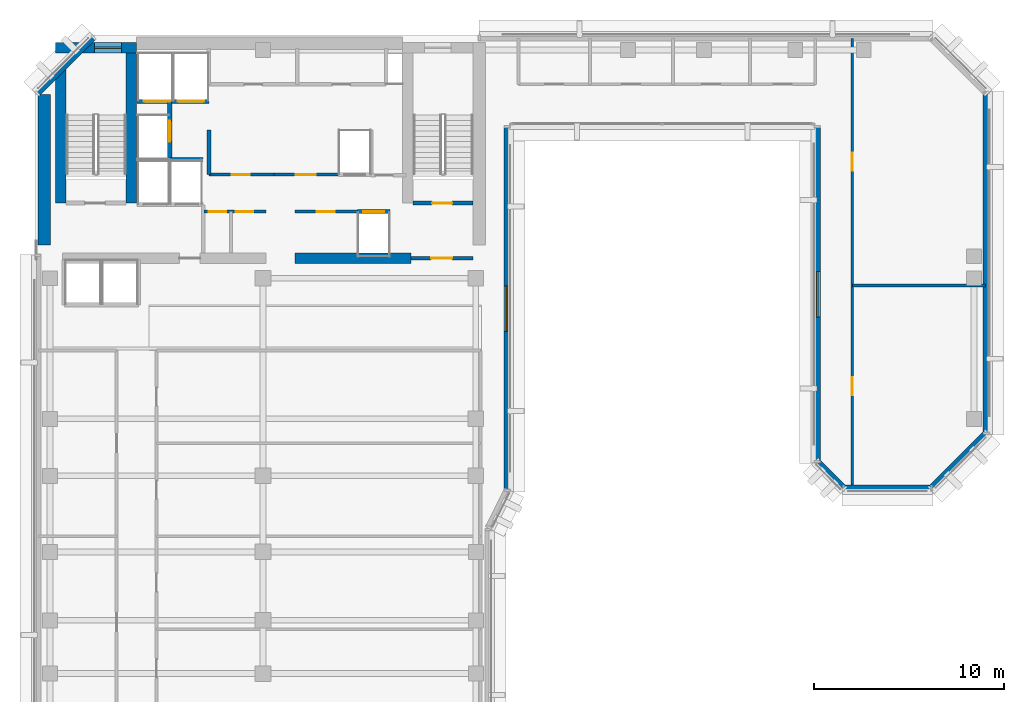
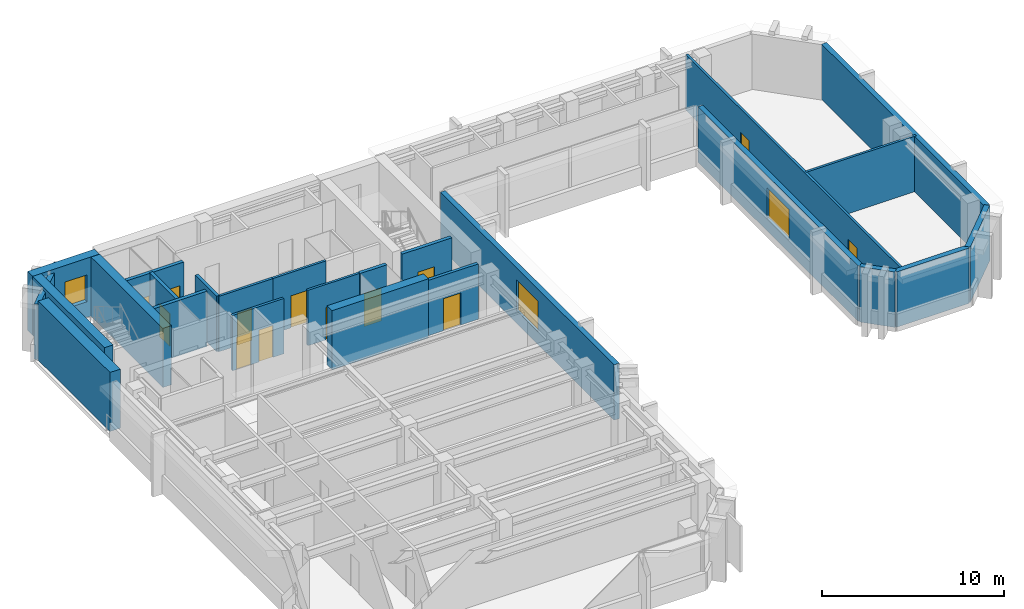
# One storey, part 6 of 11: 25 walls, 13 doors, 3 windows, 16 openings.
"""IFC4 building model written with IfcOpenShell, lengths in metres."""

from ifc_helpers import new_model, si_unit, direction, frame, frame_2d, origin, place, context, subcontext, project, spatial, rectangle, extrude, material, layer, layer_set, type_object, element, fill, save


model = new_model("IFC4")

# Units and contexts
model_context = context("Model", 3, precision=1e-05, world=origin(), true_north=direction((0.0, 1.0)))
body_context = subcontext(model_context, "Body", "Model", "MODEL_VIEW")
ifc_project = project(units=[si_unit("LENGTHUNIT", "METRE"), si_unit("AREAUNIT", "SQUARE_METRE"), si_unit("VOLUMEUNIT", "CUBIC_METRE"), si_unit("PLANEANGLEUNIT", "RADIAN"), si_unit("MASSUNIT", "GRAM", prefix="KILO")], contexts=[model_context])

# Site, building, storey
site_placement = place(None, origin())
site = spatial("IfcSite", under=ifc_project, at=site_placement, CompositionType="ELEMENT")
building_placement = place(site_placement, origin())
building = spatial("IfcBuilding", under=site, at=building_placement, Name="Kefirva Bronze Tower", CompositionType="ELEMENT")
storey_placement = place(building_placement, frame((0.0, 0.0, 231.659912109375)))
storey = spatial("IfcBuildingStorey", under=building, at=storey_placement, Name="L56", CompositionType="ELEMENT", Elevation=231.659912109375)

# Wall, opening, door
ifc_material_1 = material(Name="Gypsum acoustic partition")
ifc_layer_1 = layer(ifc_material_1, 0.14990234375, Name="Gypsum acoustic partition")
ifc_layer_set_1 = layer_set([ifc_layer_1], Name="Gypsum acoustic partition")
wall_type_1 = type_object("IfcWallType", Name="Executive Suite Partition 150mm", PredefinedType="PARTITIONING", material=ifc_layer_set_1)
wall_1_placement = place(storey_placement, frame((13.679931640625, 36.699951171875, 0.0), z_axis=(0.0, 0.0, 1.0), x_axis=(1.0, 0.0, 0.0)))
wall_1 = element("IfcWall", 1, at=wall_1_placement, inside=storey, type_object=wall_type_1, Name="L56 Partition W-L56-RECMP1", PredefinedType="PARTITIONING", context=body_context, shape_type="SweptSolid", body=[
    extrude(rectangle(XDim=3.280029296875, YDim=0.14990234375, at=frame_2d((1.64013671875, 0.0))), origin(), (0.0, 0.0, 1.0), 3.710205078125),
])
opening_1_placement = place(wall_1_placement, frame((1.14990234375, 0.0, 0.0)))
opening_1 = element("IfcOpeningElement", 2, at=opening_1_placement, cuts=wall_1, Name="Opening L56-D-RECMP1", PredefinedType="OPENING", context=body_context, shape_type="SweptSolid", body=[
    extrude(rectangle(XDim=0.949951171875, YDim=2.14990234375, at=frame_2d((0.47509765625, 1.074951171875))), frame((0.0, 0.0849609375, 0.0), z_axis=(0.0, -1.0, 0.0), x_axis=(1.0, 0.0, 0.0)), (0.0, 0.0, 1.0), 0.169921875),
])
ifc_material_2 = material(Name="Acoustic hardwood oak", Category="wood")
door_type_1 = type_object("IfcDoorType", Name="Office & Meeting Room Door 950x2150", OperationType="NOTDEFINED", PredefinedType="DOOR", material=ifc_material_2)
door_1_placement = place(opening_1_placement, origin())
door_1 = element("IfcDoor", 3, at=door_1_placement, inside=storey, type_object=door_type_1, Name="Door L56-D-RECMP1", OperationType="SINGLE_SWING_RIGHT", OverallHeight=2.14990234375, OverallWidth=0.949951171875, PredefinedType="DOOR", context=body_context, shape_type="SweptSolid", body=[
    extrude(rectangle(XDim=0.949951171875, YDim=2.14990234375, at=frame_2d((0.47509765625, 1.074951171875))), frame((0.0, 0.02490234375, 0.0), z_axis=(0.0, -1.0, 0.0), x_axis=(1.0, 0.0, 0.0)), (0.0, 0.0, 1.0), 0.050048828125),
])
fill(opening_1, door_1)

wall_2_placement = place(storey_placement, frame((12.580078125, 38.64990234375, 0.0), z_axis=(0.0, 0.0, 1.0), x_axis=(1.0, 0.0, 0.0)))
wall_2 = element("IfcWall", 4, at=wall_2_placement, inside=storey, type_object=wall_type_1, Name="L56 Partition W-L56-RECMP2", PredefinedType="PARTITIONING", context=body_context, shape_type="SweptSolid", body=[
    extrude(rectangle(XDim=3.3798828125, YDim=0.14990234375, at=frame_2d((1.68994140625, 0.0))), origin(), (0.0, 0.0, 1.0), 3.710205078125),
])
opening_2_placement = place(wall_2_placement, frame((2.199951171875, 0.0, 0.0), z_axis=(0.0, 0.0, 1.0), x_axis=(-1.0, 0.0, 0.0)))
opening_2 = element("IfcOpeningElement", 5, at=opening_2_placement, cuts=wall_2, Name="Opening L56-D-RECMP2", PredefinedType="OPENING", context=body_context, shape_type="SweptSolid", body=[
    extrude(rectangle(XDim=1.050048828125, YDim=2.14990234375, at=frame_2d((0.52490234375, 1.074951171875))), frame((0.0, 0.0849609375, 0.0), z_axis=(0.0, -1.0, 0.0), x_axis=(1.0, 0.0, 0.0)), (0.0, 0.0, 1.0), 0.169921875),
])
door_type_2 = type_object("IfcDoorType", Name="Executive & Boardroom Door 1050x2150", OperationType="NOTDEFINED", PredefinedType="DOOR", material=ifc_material_2)
door_2_placement = place(opening_2_placement, origin())
door_2 = element("IfcDoor", 6, at=door_2_placement, inside=storey, type_object=door_type_2, Name="Door L56-D-RECMP2", OperationType="SINGLE_SWING_LEFT", OverallHeight=2.14990234375, OverallWidth=1.050048828125, PredefinedType="DOOR", context=body_context, shape_type="SweptSolid", body=[
    extrude(rectangle(XDim=1.050048828125, YDim=2.14990234375, at=frame_2d((0.52490234375, 1.074951171875))), frame((0.0, 0.02490234375, 0.0), z_axis=(0.0, -1.0, 0.0), x_axis=(1.0, 0.0, 0.0)), (0.0, 0.0, 1.0), 0.050048828125),
])
fill(opening_2, door_2)

# Wall, openings, doors
wall_3_placement = place(storey_placement, frame((43.0, 22.18994140625, 0.0), z_axis=(0.0, 0.0, 1.0), x_axis=(0.0, 1.0, 0.0)))
wall_3 = element("IfcWall", 7, at=wall_3_placement, inside=storey, type_object=wall_type_1, Name="L56 Partition W-L56-PVEST", PredefinedType="PARTITIONING", context=body_context, shape_type="SweptSolid", body=[
    extrude(rectangle(XDim=23.6201171875, YDim=0.14990234375, at=frame_2d((11.81005859375, 0.0))), origin(), (0.0, 0.0, 1.0), 3.710205078125),
])
opening_3_placement = place(wall_3_placement, frame((4.839599609375, 0.0, 0.0)))
opening_3 = element("IfcOpeningElement", 8, at=opening_3_placement, cuts=wall_3, Name="Opening L56-D-EPV1", PredefinedType="OPENING", context=body_context, shape_type="SweptSolid", body=[
    extrude(rectangle(XDim=0.949951171875, YDim=2.14990234375, at=frame_2d((0.47509765625, 1.074951171875))), frame((0.0, 0.0849609375, 0.0), z_axis=(0.0, -1.0, 0.0), x_axis=(1.0, 0.0, 0.0)), (0.0, 0.0, 1.0), 0.169921875),
])
opening_4_placement = place(wall_3_placement, frame((16.6494140625, 0.0, 0.0)))
opening_4 = element("IfcOpeningElement", 9, at=opening_4_placement, cuts=wall_3, Name="Opening L56-D-EPV2", PredefinedType="OPENING", context=body_context, shape_type="SweptSolid", body=[
    extrude(rectangle(XDim=0.949951171875, YDim=2.14990234375, at=frame_2d((0.47509765625, 1.074951171875))), frame((0.0, 0.0849609375, 0.0), z_axis=(0.0, -1.0, 0.0), x_axis=(1.0, 0.0, 0.0)), (0.0, 0.0, 1.0), 0.169921875),
])
door_3_placement = place(opening_3_placement, origin())
door_3 = element("IfcDoor", 10, at=door_3_placement, inside=storey, type_object=door_type_1, Name="Door L56-D-EPV1", OperationType="SINGLE_SWING_LEFT", OverallHeight=2.14990234375, OverallWidth=0.949951171875, PredefinedType="DOOR", context=body_context, shape_type="SweptSolid", body=[
    extrude(rectangle(XDim=0.949951171875, YDim=2.14990234375, at=frame_2d((0.47509765625, 1.074951171875))), frame((0.0, 0.02490234375, 0.0), z_axis=(0.0, -1.0, 0.0), x_axis=(1.0, 0.0, 0.0)), (0.0, 0.0, 1.0), 0.050048828125),
])
fill(opening_3, door_3)
door_4_placement = place(opening_4_placement, origin())
door_4 = element("IfcDoor", 11, at=door_4_placement, inside=storey, type_object=door_type_1, Name="Door L56-D-EPV2", OperationType="SINGLE_SWING_RIGHT", OverallHeight=2.14990234375, OverallWidth=0.949951171875, PredefinedType="DOOR", context=body_context, shape_type="SweptSolid", body=[
    extrude(rectangle(XDim=0.949951171875, YDim=2.14990234375, at=frame_2d((0.47509765625, 1.074951171875))), frame((0.0, 0.02490234375, 0.0), z_axis=(0.0, -1.0, 0.0), x_axis=(1.0, 0.0, 0.0)), (0.0, 0.0, 1.0), 0.050048828125),
])
fill(opening_4, door_4)

# Wall
wall_4_placement = place(storey_placement, frame((43.0, 32.819091796875, 0.0), z_axis=(0.0, 0.0, 1.0), x_axis=(1.0, 0.0, 0.0)))
element("IfcWall", 12, at=wall_4_placement, inside=storey, type_object=wall_type_1, Name="L56 Partition W-L56-EPVD1", PredefinedType="PARTITIONING", context=body_context, shape_type="SweptSolid", body=[
    extrude(rectangle(XDim=7.010009765625, YDim=0.14990234375, at=frame_2d((3.5048828125, 0.0))), origin(), (0.0, 0.0, 1.0), 3.710205078125),
])

# Wall, opening, door
ifc_material_3 = material(Name="Gypsum fireboard shaftwall")
ifc_layer_2 = layer(ifc_material_3, 0.219970703125, Name="Gypsum fireboard shaftwall")
ifc_layer_set_2 = layer_set([ifc_layer_2], Name="Gypsum fireboard shaftwall")
wall_type_2 = type_object("IfcWallType", Name="Fire-Rated Shaft Enclosure Wall 220mm", PredefinedType="PARTITIONING", material=ifc_layer_set_2)
wall_5_placement = place(storey_placement, frame((19.89990234375, 37.14990234375, 0.0), z_axis=(0.0, 0.0, 1.0), x_axis=(1.0, 0.0, 0.0)))
wall_5 = element("IfcWall", 13, at=wall_5_placement, inside=storey, type_object=wall_type_2, Name="L56 Partition W-L56-ST2S", PredefinedType="PARTITIONING", context=body_context, shape_type="SweptSolid", body=[
    extrude(rectangle(XDim=3.150146484375, YDim=0.219970703125, at=frame_2d((1.5751953125, 0.0))), origin(), (0.0, 0.0, 1.0), 3.710205078125),
])
opening_5_placement = place(wall_5_placement, frame((2.050048828125, 0.0, 0.0), z_axis=(0.0, 0.0, 1.0), x_axis=(-1.0, 0.0, 0.0)))
opening_5 = element("IfcOpeningElement", 14, at=opening_5_placement, cuts=wall_5, Name="Opening L56-D003", PredefinedType="OPENING", context=body_context, shape_type="SweptSolid", body=[
    extrude(rectangle(XDim=1.050048828125, YDim=2.14990234375, at=frame_2d((0.52490234375, 1.074951171875))), frame((0.0, 0.1201171875, 0.0), z_axis=(0.0, -1.0, 0.0), x_axis=(1.0, 0.0, 0.0)), (0.0, 0.0, 1.0), 0.239990234375),
])
ifc_material_4 = material(Name="Painted galvanized steel", Category="steel")
door_type_3 = type_object("IfcDoorType", Name="Fire Stair Enclosure Door 1050x2150 FD90S", OperationType="NOTDEFINED", PredefinedType="DOOR", material=ifc_material_4)
door_5_placement = place(opening_5_placement, origin())
door_5 = element("IfcDoor", 15, at=door_5_placement, inside=storey, type_object=door_type_3, Name="Door L56-D003", OperationType="SINGLE_SWING_RIGHT", OverallHeight=2.14990234375, OverallWidth=1.050048828125, PredefinedType="DOOR", context=body_context, shape_type="SweptSolid", body=[
    extrude(rectangle(XDim=1.050048828125, YDim=2.14990234375, at=frame_2d((0.52490234375, 1.074951171875))), frame((0.0, 0.02490234375, 0.0), z_axis=(0.0, -1.0, 0.0), x_axis=(1.0, 0.0, 0.0)), (0.0, 0.0, 1.0), 0.050048828125),
])
fill(opening_5, door_5)

# Wall
wall_6_placement = place(storey_placement, frame((5.3798828125, 39.449951171875, 0.0), z_axis=(0.0, 0.0, 1.0), x_axis=(1.0, 0.0, 0.0)))
element("IfcWall", 16, at=wall_6_placement, inside=storey, type_object=wall_type_2, Name="L56 Partition W-L56-FFN", PredefinedType="PARTITIONING", context=body_context, shape_type="SweptSolid", body=[
    extrude(rectangle(XDim=3.460205078125, YDim=0.219970703125, at=frame_2d((1.72998046875, 0.0))), origin(), (0.0, 0.0, 1.0), 3.710205078125),
])

# Wall, openings, doors
wall_7_placement = place(storey_placement, frame((5.3798828125, 42.5, 0.0), z_axis=(0.0, 0.0, 1.0), x_axis=(1.0, 0.0, 0.0)))
wall_7 = element("IfcWall", 17, at=wall_7_placement, inside=storey, type_object=wall_type_2, Name="L56 Partition W-L56-SVS", PredefinedType="PARTITIONING", context=body_context, shape_type="SweptSolid", body=[
    extrude(rectangle(XDim=3.77001953125, YDim=0.219970703125, at=frame_2d((1.885009765625, 0.0))), origin(), (0.0, 0.0, 1.0), 3.710205078125),
])
opening_6_placement = place(wall_7_placement, frame((1.75, 0.0, 0.0), z_axis=(0.0, 0.0, 1.0), x_axis=(-1.0, 0.0, 0.0)))
opening_6 = element("IfcOpeningElement", 18, at=opening_6_placement, cuts=wall_7, Name="Opening L56-LD-SV1", PredefinedType="OPENING", context=body_context, shape_type="SweptSolid", body=[
    extrude(rectangle(XDim=1.39990234375, YDim=2.199951171875, at=frame_2d((0.699951171875, 1.10009765625))), frame((0.0, 0.1201171875, 0.0), z_axis=(0.0, -1.0, 0.0), x_axis=(1.0, 0.0, 0.0)), (0.0, 0.0, 1.0), 0.239990234375),
])
opening_7_placement = place(wall_7_placement, frame((3.52978515625, 0.0, 0.0), z_axis=(0.0, 0.0, 1.0), x_axis=(-1.0, 0.0, 0.0)))
opening_7 = element("IfcOpeningElement", 19, at=opening_7_placement, cuts=wall_7, Name="Opening L56-LD-SV2", PredefinedType="OPENING", context=body_context, shape_type="SweptSolid", body=[
    extrude(rectangle(XDim=1.39990234375, YDim=2.199951171875, at=frame_2d((0.699951171875, 1.10009765625))), frame((0.0, 0.1201171875, 0.0), z_axis=(0.0, -1.0, 0.0), x_axis=(1.0, 0.0, 0.0)), (0.0, 0.0, 1.0), 0.239990234375),
])
ifc_material_5 = material(Name="Stainless steel 316", Category="steel")
door_type_4 = type_object("IfcDoorType", Name="Goods Lift Bi-Parting Sliding Door 1400x2200", OperationType="SLIDING_TO_LEFT", PredefinedType="DOOR", material=ifc_material_5)
door_6_placement = place(opening_6_placement, origin())
door_6 = element("IfcDoor", 20, at=door_6_placement, inside=storey, type_object=door_type_4, Name="Door L56-LD-SV1", OperationType="SLIDING_TO_LEFT", OverallHeight=2.199951171875, OverallWidth=1.39990234375, PredefinedType="DOOR", context=body_context, shape_type="SweptSolid", body=[
    extrude(rectangle(XDim=1.39990234375, YDim=2.199951171875, at=frame_2d((0.699951171875, 1.10009765625))), frame((0.0, 0.02490234375, 0.0), z_axis=(0.0, -1.0, 0.0), x_axis=(1.0, 0.0, 0.0)), (0.0, 0.0, 1.0), 0.050048828125),
])
fill(opening_6, door_6)
door_7_placement = place(opening_7_placement, origin())
door_7 = element("IfcDoor", 21, at=door_7_placement, inside=storey, type_object=door_type_4, Name="Door L56-LD-SV2", OperationType="SLIDING_TO_LEFT", OverallHeight=2.199951171875, OverallWidth=1.39990234375, PredefinedType="DOOR", context=body_context, shape_type="SweptSolid", body=[
    extrude(rectangle(XDim=1.39990234375, YDim=2.199951171875, at=frame_2d((0.699951171875, 1.10009765625))), frame((0.0, 0.02490234375, 0.0), z_axis=(0.0, -1.0, 0.0), x_axis=(1.0, 0.0, 0.0)), (0.0, 0.0, 1.0), 0.050048828125),
])
fill(opening_7, door_7)

# Wall, opening, door
wall_8_placement = place(storey_placement, frame((7.10009765625, 39.52001953125, 0.0), z_axis=(0.0, 0.0, 1.0), x_axis=(0.0, 1.0, 0.0)))
wall_8 = element("IfcWall", 22, at=wall_8_placement, inside=storey, type_object=wall_type_2, Name="L56 Partition W-L56-HP3E", PredefinedType="PARTITIONING", context=body_context, shape_type="SweptSolid", body=[
    extrude(rectangle(XDim=2.929931640625, YDim=0.219970703125, at=frame_2d((1.46484375, 0.0))), origin(), (0.0, 0.0, 1.0), 3.710205078125),
])
opening_8_placement = place(wall_8_placement, frame((0.85009765625, 0.0, 0.0)))
opening_8 = element("IfcOpeningElement", 23, at=opening_8_placement, cuts=wall_8, Name="Opening L56-LD-HP3", PredefinedType="OPENING", context=body_context, shape_type="SweptSolid", body=[
    extrude(rectangle(XDim=1.10009765625, YDim=2.199951171875, at=frame_2d((0.550048828125, 1.10009765625))), frame((0.0, 0.1201171875, 0.0), z_axis=(0.0, -1.0, 0.0), x_axis=(1.0, 0.0, 0.0)), (0.0, 0.0, 1.0), 0.239990234375),
])
door_type_5 = type_object("IfcDoorType", Name="Passenger Lift Sliding Landing Door 1100x2200", OperationType="SLIDING_TO_LEFT", PredefinedType="DOOR", material=ifc_material_5)
door_8_placement = place(opening_8_placement, origin())
door_8 = element("IfcDoor", 24, at=door_8_placement, inside=storey, type_object=door_type_5, Name="Door L56-LD-HP3", OperationType="SLIDING_TO_LEFT", OverallHeight=2.199951171875, OverallWidth=1.10009765625, PredefinedType="DOOR", context=body_context, shape_type="SweptSolid", body=[
    extrude(rectangle(XDim=1.10009765625, YDim=2.199951171875, at=frame_2d((0.550048828125, 1.10009765625))), frame((0.0, 0.02490234375, 0.0), z_axis=(0.0, -1.0, 0.0), x_axis=(1.0, 0.0, 0.0)), (0.0, 0.0, 1.0), 0.050048828125),
])
fill(opening_8, door_8)

# Wall
wall_9_placement = place(storey_placement, frame((9.159912109375, 38.64990234375, 0.0), z_axis=(0.0, 0.0, 1.0), x_axis=(0.0, 1.0, 0.0)))
element("IfcWall", 25, at=wall_9_placement, inside=storey, type_object=wall_type_2, Name="L56 Partition W-L56-LP3W", PredefinedType="PARTITIONING", context=body_context, shape_type="SweptSolid", body=[
    extrude(rectangle(XDim=2.35009765625, YDim=0.199951171875, at=frame_2d((1.175048828125, 0.0))), origin(), (0.0, 0.0, 1.0), 3.710205078125),
])

# Wall, opening, door
wall_10_placement = place(storey_placement, frame((16.97998046875, 36.699951171875, 0.0), z_axis=(0.0, 0.0, 1.0), x_axis=(1.0, 0.0, 0.0)))
wall_10 = element("IfcWall", 26, at=wall_10_placement, inside=storey, type_object=wall_type_2, Name="L56 Partition W-L56-HPS", PredefinedType="PARTITIONING", context=body_context, shape_type="SweptSolid", body=[
    extrude(rectangle(XDim=1.699951171875, YDim=0.219970703125, at=frame_2d((0.85009765625, 0.0))), origin(), (0.0, 0.0, 1.0), 3.710205078125),
])
opening_9_placement = place(wall_10_placement, frame((0.300048828125, 0.0, 0.0)))
opening_9 = element("IfcOpeningElement", 27, at=opening_9_placement, cuts=wall_10, Name="Opening L56-LD-HP1", PredefinedType="OPENING", context=body_context, shape_type="SweptSolid", body=[
    extrude(rectangle(XDim=1.10009765625, YDim=2.199951171875, at=frame_2d((0.550048828125, 1.10009765625))), frame((0.0, 0.1201171875, 0.0), z_axis=(0.0, -1.0, 0.0), x_axis=(1.0, 0.0, 0.0)), (0.0, 0.0, 1.0), 0.239990234375),
])
door_9_placement = place(opening_9_placement, origin())
door_9 = element("IfcDoor", 28, at=door_9_placement, inside=storey, type_object=door_type_5, Name="Door L56-LD-HP1", OperationType="SLIDING_TO_LEFT", OverallHeight=2.199951171875, OverallWidth=1.10009765625, PredefinedType="DOOR", context=body_context, shape_type="SweptSolid", body=[
    extrude(rectangle(XDim=1.10009765625, YDim=2.199951171875, at=frame_2d((0.550048828125, 1.10009765625))), frame((0.0, 0.02490234375, 0.0), z_axis=(0.0, -1.0, 0.0), x_axis=(1.0, 0.0, 0.0)), (0.0, 0.0, 1.0), 0.050048828125),
])
fill(opening_9, door_9)

ifc_material_6 = material(Name="Gypsum fireboard barrier")
ifc_layer_3 = layer(ifc_material_6, 0.199951171875, Name="Gypsum fireboard barrier")
ifc_layer_set_3 = layer_set([ifc_layer_3], Name="Gypsum fireboard barrier")
wall_type_3 = type_object("IfcWallType", Name="Firefighting Lobby Barrier Wall 200mm", PredefinedType="PARTITIONING", material=ifc_layer_set_3)
wall_11_placement = place(storey_placement, frame((19.800048828125, 34.25, 0.0), z_axis=(0.0, 0.0, 1.0), x_axis=(1.0, 0.0, 0.0)))
wall_11 = element("IfcWall", 29, at=wall_11_placement, inside=storey, type_object=wall_type_3, Name="L56 Partition W-L56-ST2F", PredefinedType="PARTITIONING", context=body_context, shape_type="SweptSolid", body=[
    extrude(rectangle(XDim=3.25, YDim=0.199951171875, at=frame_2d((1.625, 0.0))), origin(), (0.0, 0.0, 1.0), 3.710205078125),
])
opening_10_placement = place(wall_11_placement, frame((2.150146484375, 0.0, 0.0), z_axis=(0.0, 0.0, 1.0), x_axis=(-1.0, 0.0, 0.0)))
opening_10 = element("IfcOpeningElement", 30, at=opening_10_placement, cuts=wall_11, Name="Opening L56-D004", PredefinedType="OPENING", context=body_context, shape_type="SweptSolid", body=[
    extrude(rectangle(XDim=1.10009765625, YDim=2.14990234375, at=frame_2d((0.550048828125, 1.074951171875))), frame((0.0, 0.10986328125, 0.0), z_axis=(0.0, -1.0, 0.0), x_axis=(1.0, 0.0, 0.0)), (0.0, 0.0, 1.0), 0.219970703125),
])
door_type_6 = type_object("IfcDoorType", Name="Firefighting Lobby Smoke Door 1100x2150 FD60S", OperationType="NOTDEFINED", PredefinedType="DOOR", material=ifc_material_4)
door_10_placement = place(opening_10_placement, origin())
door_10 = element("IfcDoor", 31, at=door_10_placement, inside=storey, type_object=door_type_6, Name="Door L56-D004", OperationType="SINGLE_SWING_LEFT", OverallHeight=2.14990234375, OverallWidth=1.10009765625, PredefinedType="DOOR", context=body_context, shape_type="SweptSolid", body=[
    extrude(rectangle(XDim=1.10009765625, YDim=2.14990234375, at=frame_2d((0.550048828125, 1.074951171875))), frame((0.0, 0.02490234375, 0.0), z_axis=(0.0, -1.0, 0.0), x_axis=(1.0, 0.0, 0.0)), (0.0, 0.0, 1.0), 0.050048828125),
])
fill(opening_10, door_10)

# Wall, opening, window
ifc_material_7 = material(Name="Precast concrete C40/50", Category="concrete")
ifc_layer_4 = layer(ifc_material_7, 0.320068359375, Name="Precast concrete C40/50")
ifc_layer_set_4 = layer_set([ifc_layer_4], Name="Precast concrete C40/50")
wall_type_4 = type_object("IfcWallType", Name="Precast Insulated Exterior Wall 320mm", PredefinedType="SOLIDWALL", material=ifc_layer_set_4)
wall_12_placement = place(storey_placement, frame((24.840087890625, 22.054931640625, 0.0), z_axis=(0.0, 0.0, 1.0), x_axis=(0.0, 1.0, 0.0)))
wall_12 = element("IfcWall", 32, at=wall_12_placement, inside=storey, type_object=wall_type_4, Name="L56 Exterior Facade Wall 4", PredefinedType="SOLIDWALL", context=body_context, shape_type="SweptSolid", body=[
    extrude(rectangle(XDim=19.090087890625, YDim=0.320068359375, at=frame_2d((9.544921875, 0.0))), origin(), (0.0, 0.0, 1.0), 3.710205078125),
])
opening_11_placement = place(wall_12_placement, frame((8.344970703125, 0.0, 0.85009765625)))
opening_11 = element("IfcOpeningElement", 33, at=opening_11_placement, cuts=wall_12, Name="Opening WN-01", PredefinedType="OPENING", context=body_context, shape_type="SweptSolid", body=[
    extrude(rectangle(XDim=2.39990234375, YDim=2.050048828125, at=frame_2d((1.199951171875, 1.02490234375))), frame((0.0, 0.169921875, 0.0), z_axis=(0.0, -1.0, 0.0), x_axis=(1.0, 0.0, 0.0)), (0.0, 0.0, 1.0), 0.340087890625),
])
ifc_material_8 = material(Name="Laminated low-E double glazing", Category="glass")
window_type_1 = type_object("IfcWindowType", Name="Streamline Ribbon Window 2400x2050", PartitioningType="SINGLE_PANEL", PredefinedType="WINDOW", material=ifc_material_8)
window_1_placement = place(opening_11_placement, origin())
window_1 = element("IfcWindow", 34, at=window_1_placement, inside=storey, type_object=window_type_1, Name="L56 Ribbon Window 4", OverallHeight=2.050048828125, OverallWidth=2.39990234375, PartitioningType="SINGLE_PANEL", PredefinedType="WINDOW", context=body_context, shape_type="SweptSolid", body=[
    extrude(rectangle(XDim=2.39990234375, YDim=2.050048828125, at=frame_2d((1.199951171875, 1.02490234375))), frame((0.0, 0.030029296875, 0.0), z_axis=(0.0, -1.0, 0.0), x_axis=(1.0, 0.0, 0.0)), (0.0, 0.0, 1.0), 0.06005859375),
])
fill(opening_11, window_1)

wall_13_placement = place(storey_placement, frame((41.159912109375, 41.14501953125, 0.0), z_axis=(0.0, 0.0, 1.0), x_axis=(0.0, -1.0, 0.0)))
wall_13 = element("IfcWall", 35, at=wall_13_placement, inside=storey, type_object=wall_type_4, Name="L56 Exterior Facade Wall 5", PredefinedType="SOLIDWALL", context=body_context, shape_type="SweptSolid", body=[
    extrude(rectangle(XDim=17.590087890625, YDim=0.320068359375, at=frame_2d((8.794921875, 0.0))), origin(), (0.0, 0.0, 1.0), 3.710205078125),
])
opening_12_placement = place(wall_13_placement, frame((7.594970703125, 0.0, 0.85009765625)))
opening_12 = element("IfcOpeningElement", 36, at=opening_12_placement, cuts=wall_13, Name="Opening WN-01", PredefinedType="OPENING", context=body_context, shape_type="SweptSolid", body=[
    extrude(rectangle(XDim=2.39990234375, YDim=2.050048828125, at=frame_2d((1.199951171875, 1.02490234375))), frame((0.0, 0.169921875, 0.0), z_axis=(0.0, -1.0, 0.0), x_axis=(1.0, 0.0, 0.0)), (0.0, 0.0, 1.0), 0.340087890625),
])
window_2_placement = place(opening_12_placement, origin())
window_2 = element("IfcWindow", 37, at=window_2_placement, inside=storey, type_object=window_type_1, Name="L56 Ribbon Window 5", OverallHeight=2.050048828125, OverallWidth=2.39990234375, PartitioningType="SINGLE_PANEL", PredefinedType="WINDOW", context=body_context, shape_type="SweptSolid", body=[
    extrude(rectangle(XDim=2.39990234375, YDim=2.050048828125, at=frame_2d((1.199951171875, 1.02490234375))), frame((0.0, 0.030029296875, 0.0), z_axis=(0.0, -1.0, 0.0), x_axis=(1.0, 0.0, 0.0)), (0.0, 0.0, 1.0), 0.06005859375),
])
fill(opening_12, window_2)

# Walls
wall_14_placement = place(storey_placement, frame((41.152099609375, 23.57421875, 0.0), z_axis=(0.0, 0.0, 1.0), x_axis=(0.707106781187, -0.707106781187, 0.0)))
element("IfcWall", 38, at=wall_14_placement, inside=storey, type_object=wall_type_4, Name="L56 Exterior Facade Wall 6", PredefinedType="SOLIDWALL", context=body_context, shape_type="SweptSolid", body=[
    extrude(rectangle(XDim=2.01123046875, YDim=0.320068359375, at=frame_2d((1.005615234375, 0.0))), origin(), (0.0, 0.0, 1.0), 3.710205078125),
])
wall_15_placement = place(storey_placement, frame((42.554931640625, 22.159912109375, 0.0), z_axis=(0.0, 0.0, 1.0), x_axis=(1.0, 0.0, 0.0)))
element("IfcWall", 39, at=wall_15_placement, inside=storey, type_object=wall_type_4, Name="L56 Exterior Facade Wall 7", PredefinedType="SOLIDWALL", context=body_context, shape_type="SweptSolid", body=[
    extrude(rectangle(XDim=4.590087890625, YDim=0.320068359375, at=frame_2d((2.294921875, 0.0))), origin(), (0.0, 0.0, 1.0), 3.710205078125),
])
wall_16_placement = place(storey_placement, frame((47.125732421875, 22.152099609375, 0.0), z_axis=(0.0, 0.0, 1.0), x_axis=(0.707136318428, 0.707077242712, 0.0)))
element("IfcWall", 40, at=wall_16_placement, inside=storey, type_object=wall_type_4, Name="L56 Exterior Facade Wall 8", PredefinedType="SOLIDWALL", context=body_context, shape_type="SweptSolid", body=[
    extrude(rectangle(XDim=4.132568359375, YDim=0.320068359375, at=frame_2d((2.06640625, 0.0))), origin(), (0.0, 0.0, 1.0), 3.710205078125),
])
wall_17_placement = place(storey_placement, frame((50.0400390625, 25.054931640625, 0.0), z_axis=(0.0, 0.0, 1.0), x_axis=(0.0, 1.0, 0.0)))
element("IfcWall", 41, at=wall_17_placement, inside=storey, type_object=wall_type_4, Name="L56 Exterior Facade Wall 9", PredefinedType="SOLIDWALL", context=body_context, shape_type="SweptSolid", body=[
    extrude(rectangle(XDim=17.89013671875, YDim=0.320068359375, at=frame_2d((8.945068359375, 0.0))), origin(), (0.0, 0.0, 1.0), 3.710205078125),
])
wall_18_placement = place(storey_placement, frame((3.07421875, 45.847900390625, 0.0), z_axis=(0.0, 0.0, 1.0), x_axis=(-0.707106781187, -0.707106781187, 0.0)))
element("IfcWall", 42, at=wall_18_placement, inside=storey, type_object=wall_type_4, Name="L56 Exterior Facade Wall 12", PredefinedType="SOLIDWALL", context=body_context, shape_type="SweptSolid", body=[
    extrude(rectangle(XDim=4.132568359375, YDim=0.320068359375, at=frame_2d((2.06640625, 0.0))), origin(), (0.0, 0.0, 1.0), 3.710205078125),
])

# Wall, openings, doors
ifc_layer_5 = layer(ifc_material_1, 0.159912109375, Name="Gypsum acoustic partition")
ifc_layer_set_5 = layer_set([ifc_layer_5], Name="Gypsum acoustic partition")
wall_type_5 = type_object("IfcWallType", Name="Protected Corridor Partition 160mm", PredefinedType="PARTITIONING", material=ifc_layer_set_5)
wall_19_placement = place(storey_placement, frame((8.89990234375, 36.699951171875, 0.0), z_axis=(0.0, 0.0, 1.0), x_axis=(1.0, 0.0, 0.0)))
wall_19 = element("IfcWall", 43, at=wall_19_placement, inside=storey, type_object=wall_type_5, Name="L56 Partition W-L56-RECLP1", PredefinedType="PARTITIONING", context=body_context, shape_type="SweptSolid", body=[
    extrude(rectangle(XDim=3.25, YDim=0.159912109375, at=frame_2d((1.625, 0.0))), origin(), (0.0, 0.0, 1.0), 3.710205078125),
])
opening_13_placement = place(wall_19_placement, frame((0.260009765625, 0.0, 0.0)))
opening_13 = element("IfcOpeningElement", 44, at=opening_13_placement, cuts=wall_19, Name="Opening L56-D-RECLP1A", PredefinedType="OPENING", context=body_context, shape_type="SweptSolid", body=[
    extrude(rectangle(XDim=0.89990234375, YDim=2.14990234375, at=frame_2d((0.449951171875, 1.074951171875))), frame((0.0, 0.08984375, 0.0), z_axis=(0.0, -1.0, 0.0), x_axis=(1.0, 0.0, 0.0)), (0.0, 0.0, 1.0), 0.179931640625),
])
opening_14_placement = place(wall_19_placement, frame((1.679931640625, 0.0, 0.0)))
opening_14 = element("IfcOpeningElement", 45, at=opening_14_placement, cuts=wall_19, Name="Opening L56-D-RECLP1B", PredefinedType="OPENING", context=body_context, shape_type="SweptSolid", body=[
    extrude(rectangle(XDim=0.89990234375, YDim=2.14990234375, at=frame_2d((0.449951171875, 1.074951171875))), frame((0.0, 0.08984375, 0.0), z_axis=(0.0, -1.0, 0.0), x_axis=(1.0, 0.0, 0.0)), (0.0, 0.0, 1.0), 0.179931640625),
])
door_type_7 = type_object("IfcDoorType", Name="Core Archive & Server Fire Door 900x2150 FD60S", OperationType="NOTDEFINED", PredefinedType="DOOR", material=ifc_material_4)
door_11_placement = place(opening_13_placement, origin())
door_11 = element("IfcDoor", 46, at=door_11_placement, inside=storey, type_object=door_type_7, Name="Door L56-D-RECLP1A", OperationType="SINGLE_SWING_LEFT", OverallHeight=2.14990234375, OverallWidth=0.89990234375, PredefinedType="DOOR", context=body_context, shape_type="SweptSolid", body=[
    extrude(rectangle(XDim=0.89990234375, YDim=2.14990234375, at=frame_2d((0.449951171875, 1.074951171875))), frame((0.0, 0.02490234375, 0.0), z_axis=(0.0, -1.0, 0.0), x_axis=(1.0, 0.0, 0.0)), (0.0, 0.0, 1.0), 0.050048828125),
])
fill(opening_13, door_11)
door_12_placement = place(opening_14_placement, origin())
door_12 = element("IfcDoor", 47, at=door_12_placement, inside=storey, type_object=door_type_7, Name="Door L56-D-RECLP1B", OperationType="SINGLE_SWING_RIGHT", OverallHeight=2.14990234375, OverallWidth=0.89990234375, PredefinedType="DOOR", context=body_context, shape_type="SweptSolid", body=[
    extrude(rectangle(XDim=0.89990234375, YDim=2.14990234375, at=frame_2d((0.449951171875, 1.074951171875))), frame((0.0, 0.02490234375, 0.0), z_axis=(0.0, -1.0, 0.0), x_axis=(1.0, 0.0, 0.0)), (0.0, 0.0, 1.0), 0.050048828125),
])
fill(opening_14, door_12)

# Wall, opening, door
wall_20_placement = place(storey_placement, frame((9.159912109375, 38.64990234375, 0.0), z_axis=(0.0, 0.0, 1.0), x_axis=(1.0, 0.0, 0.0)))
wall_20 = element("IfcWall", 48, at=wall_20_placement, inside=storey, type_object=wall_type_5, Name="L56 Partition W-L56-RECLP2", PredefinedType="PARTITIONING", context=body_context, shape_type="SweptSolid", body=[
    extrude(rectangle(XDim=3.420166015625, YDim=0.159912109375, at=frame_2d((1.7099609375, 0.0))), origin(), (0.0, 0.0, 1.0), 3.710205078125),
])
opening_15_placement = place(wall_20_placement, frame((2.14990234375, 0.0, 0.0), z_axis=(0.0, 0.0, 1.0), x_axis=(-1.0, 0.0, 0.0)))
opening_15 = element("IfcOpeningElement", 49, at=opening_15_placement, cuts=wall_20, Name="Opening L56-D-RECLP2", PredefinedType="OPENING", context=body_context, shape_type="SweptSolid", body=[
    extrude(rectangle(XDim=0.949951171875, YDim=2.14990234375, at=frame_2d((0.47509765625, 1.074951171875))), frame((0.0, 0.08984375, 0.0), z_axis=(0.0, -1.0, 0.0), x_axis=(1.0, 0.0, 0.0)), (0.0, 0.0, 1.0), 0.179931640625),
])
door_13_placement = place(opening_15_placement, origin())
door_13 = element("IfcDoor", 50, at=door_13_placement, inside=storey, type_object=door_type_1, Name="Door L56-D-RECLP2", OperationType="SINGLE_SWING_LEFT", OverallHeight=2.14990234375, OverallWidth=0.949951171875, PredefinedType="DOOR", context=body_context, shape_type="SweptSolid", body=[
    extrude(rectangle(XDim=0.949951171875, YDim=2.14990234375, at=frame_2d((0.47509765625, 1.074951171875))), frame((0.0, 0.02490234375, 0.0), z_axis=(0.0, -1.0, 0.0), x_axis=(1.0, 0.0, 0.0)), (0.0, 0.0, 1.0), 0.050048828125),
])
fill(opening_15, door_13)

# Wall, opening, window
ifc_material_9 = material(Name="Concrete C50/60", Category="concrete")
ifc_layer_6 = layer(ifc_material_9, 0.550048828125, Name="Concrete C50/60")
ifc_layer_set_6 = layer_set([ifc_layer_6], Name="Concrete C50/60")
wall_type_6 = type_object("IfcWallType", Name="RC Rear Core Exterior Wall 550mm", PredefinedType="SHEAR", material=ifc_layer_set_6)
wall_21_placement = place(storey_placement, frame((1.10009765625, 45.320068359375, 0.0), z_axis=(0.0, 0.0, 1.0), x_axis=(1.0, 0.0, 0.0)))
wall_21 = element("IfcWall", 51, at=wall_21_placement, inside=storey, type_object=wall_type_6, Name="L56 Stair 1 North Shear Wall", PredefinedType="SHEAR", context=body_context, shape_type="SweptSolid", body=[
    extrude(rectangle(XDim=4.239990234375, YDim=0.550048828125, at=frame_2d((2.1201171875, 0.0))), origin(), (0.0, 0.0, 1.0), 3.960205078125),
])
opening_16_placement = place(wall_21_placement, frame((2.050048828125, 0.0, 1.050048828125)))
opening_16 = element("IfcOpeningElement", 52, at=opening_16_placement, cuts=wall_21, Name="Opening WN-03", PredefinedType="OPENING", context=body_context, shape_type="SweptSolid", body=[
    extrude(rectangle(XDim=1.39990234375, YDim=1.800048828125, at=frame_2d((0.699951171875, 0.89990234375))), frame((0.0, 0.28515625, 0.0), z_axis=(0.0, -1.0, 0.0), x_axis=(1.0, 0.0, 0.0)), (0.0, 0.0, 1.0), 0.570068359375),
])
window_type_2 = type_object("IfcWindowType", Name="Rear-Core Stair Daylight Window 1400x1800", PartitioningType="SINGLE_PANEL", PredefinedType="WINDOW", material=ifc_material_8)
window_3_placement = place(opening_16_placement, origin())
window_3 = element("IfcWindow", 53, at=window_3_placement, inside=storey, type_object=window_type_2, Name="L56 Stair 1 Daylight Window", OverallHeight=1.800048828125, OverallWidth=1.39990234375, PartitioningType="SINGLE_PANEL", PredefinedType="WINDOW", context=body_context, shape_type="SweptSolid", body=[
    extrude(rectangle(XDim=1.39990234375, YDim=1.800048828125, at=frame_2d((0.699951171875, 0.89990234375))), frame((0.0, 0.030029296875, 0.0), z_axis=(0.0, -1.0, 0.0), x_axis=(1.0, 0.0, 0.0)), (0.0, 0.0, 1.0), 0.06005859375),
])
fill(opening_16, window_3)

# Walls
ifc_layer_7 = layer(ifc_material_9, 0.64990234375, Name="Concrete C50/60")
ifc_layer_set_7 = layer_set([ifc_layer_7], Name="Concrete C50/60")
wall_type_7 = type_object("IfcWallType", Name="RC Rear Core Exterior Wall 650mm", PredefinedType="SHEAR", material=ifc_layer_set_7)
wall_22_placement = place(storey_placement, frame((0.5, 34.949951171875, 0.0), z_axis=(0.0, 0.0, 1.0), x_axis=(0.0, 1.0, 0.0)))
element("IfcWall", 54, at=wall_22_placement, inside=storey, type_object=wall_type_7, Name="L56 Rear Core West Shear Wall", PredefinedType="SHEAR", context=body_context, shape_type="SweptSolid", body=[
    extrude(rectangle(XDim=7.900146484375, YDim=0.64990234375, at=frame_2d((3.9501953125, 0.0))), origin(), (0.0, 0.0, 1.0), 3.960205078125),
])
ifc_layer_8 = layer(ifc_material_9, 0.550048828125, Name="Concrete C50/60")
ifc_layer_set_8 = layer_set([ifc_layer_8], Name="Concrete C50/60")
wall_type_8 = type_object("IfcWallType", Name="RC Rear Core Interior Wall 550mm", PredefinedType="SHEAR", material=ifc_layer_set_8)
for number, where, z_axis, x_axis, name in (
    (55, (1.3701171875, 37.14990234375, 0.0), (0.0, 0.0, 1.0), (0.0, 1.0, 0.0), "L56 Stair 1 West Shear Wall"),
    (56, (5.070068359375, 37.14990234375, 0.0), (0.0, 0.0, 1.0), (0.0, 1.0, 0.0), "L56 Stair 1 East Shear Wall"),
):
    element("IfcWall", number, at=place(storey_placement, frame(where, z_axis=z_axis, x_axis=x_axis)), inside=storey, type_object=wall_type_8, Name=name, PredefinedType="SHEAR", context=body_context, shape_type="SweptSolid", body=[
        extrude(rectangle(XDim=7.89013671875, YDim=0.550048828125, at=frame_2d((3.945068359375, 0.0))), origin(), (0.0, 0.0, 1.0), 3.960205078125),
    ])
ifc_layer_9 = layer(ifc_material_9, 0.64990234375, Name="Concrete C50/60")
ifc_layer_set_9 = layer_set([ifc_layer_9], Name="Concrete C50/60")
wall_type_9 = type_object("IfcWallType", Name="RC Rear Core Interior Wall 650mm", PredefinedType="SHEAR", material=ifc_layer_set_9)
wall_23_placement = place(storey_placement, frame((13.679931640625, 34.25, 0.0), z_axis=(0.0, 0.0, 1.0), x_axis=(1.0, 0.0, 0.0)))
element("IfcWall", 57, at=wall_23_placement, inside=storey, type_object=wall_type_9, Name="L56 Rear Core South-East Shear Wall", PredefinedType="SHEAR", context=body_context, shape_type="SweptSolid", body=[
    extrude(rectangle(XDim=6.1201171875, YDim=0.550048828125, at=frame_2d((3.06005859375, 0.0))), origin(), (0.0, 0.0, 1.0), 3.960205078125),
])

save(model, "model.ifc")
